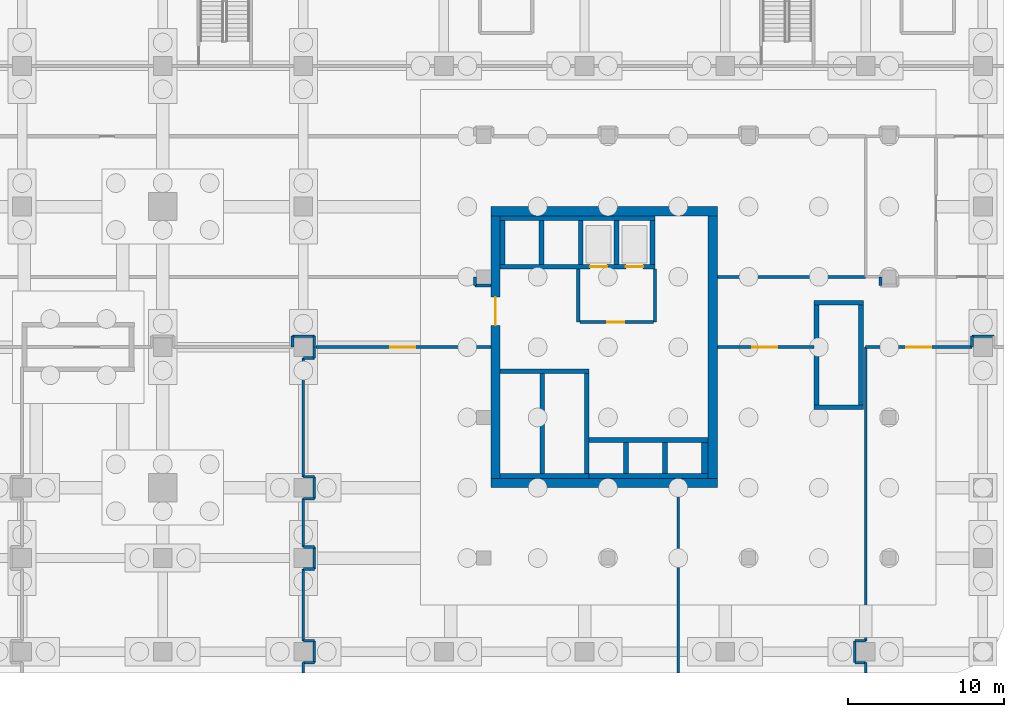
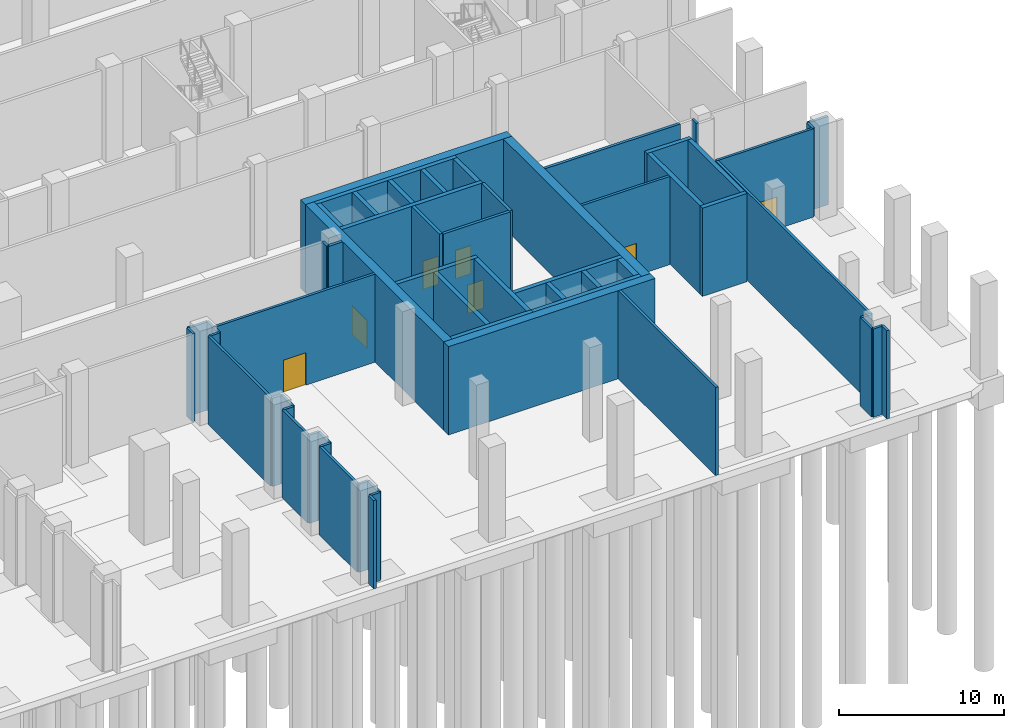
# One storey, part 13 of 23: 60 walls, 7 doors, 7 openings.
"""IFC4 building model written with IfcOpenShell, lengths in metres."""

from ifc_helpers import new_model, si_unit, direction, frame, frame_2d, origin, place, context, subcontext, project, spatial, rectangle, extrude, material, layer, layer_set, type_object, element, fill, save


model = new_model("IFC4")

# Units and contexts
model_context = context("Model", 3, precision=1e-05, world=origin(), true_north=direction((0.0, 1.0)))
body_context = subcontext(model_context, "Body", "Model", "MODEL_VIEW")
ifc_project = project(units=[si_unit("LENGTHUNIT", "METRE"), si_unit("AREAUNIT", "SQUARE_METRE"), si_unit("VOLUMEUNIT", "CUBIC_METRE"), si_unit("PLANEANGLEUNIT", "RADIAN"), si_unit("MASSUNIT", "GRAM", prefix="KILO")], contexts=[model_context])

# Site, building, storey
site_placement = place(None, origin())
site = spatial("IfcSite", under=ifc_project, at=site_placement, CompositionType="ELEMENT")
building_placement = place(site_placement, origin())
building = spatial("IfcBuilding", under=site, at=building_placement, Name="Plateau Cross Towers", CompositionType="ELEMENT")
storey_placement = place(building_placement, frame((0.0, 0.0, -7.0)))
storey = spatial("IfcBuildingStorey", under=building, at=storey_placement, Name="B1", CompositionType="ELEMENT", Elevation=-7.0)

# Wall
ifc_material_1 = material(Name="Concrete block, plastered both sides", Category="concrete")
ifc_layer_1 = layer(ifc_material_1, 0.199951171875)
ifc_layer_set_1 = layer_set([ifc_layer_1], Name="Concrete block, plastered both sides")
wall_type_1 = type_object("IfcWallType", Name="Core partition 200", PredefinedType="PARTITIONING", material=ifc_layer_set_1)
wall_1_placement = place(storey_placement, frame((80.60009765625, 10.60009765625, 0.0), z_axis=(0.0, 0.0, 1.0), x_axis=(0.0, 1.0, 0.0)))
element("IfcWall", 1, at=wall_1_placement, inside=storey, type_object=wall_type_1, Name="Core partition", PredefinedType="PARTITIONING", context=body_context, shape_type="SweptSolid", body=[
    extrude(rectangle(XDim=3.39990234375, YDim=0.199951171875, at=frame_2d((1.699951171875, 0.0))), origin(), (0.0, 0.0, 1.0), 6.550048828125),
])

# Wall, opening, door
wall_2_placement = place(storey_placement, frame((80.699951171875, 10.60009765625, 0.0), z_axis=(0.0, 0.0, 1.0), x_axis=(1.0, 0.0, 0.0)))
wall_2 = element("IfcWall", 2, at=wall_2_placement, inside=storey, type_object=wall_type_1, Name="Core partition", PredefinedType="PARTITIONING", context=body_context, shape_type="SweptSolid", body=[
    extrude(rectangle(XDim=4.699951171875, YDim=0.199951171875, at=frame_2d((2.35009765625, 0.0))), origin(), (0.0, 0.0, 1.0), 6.550048828125),
])
opening_1_placement = place(wall_2_placement, frame((1.75, 0.0, 0.0)))
opening_1 = element("IfcOpeningElement", 3, at=opening_1_placement, cuts=wall_2, Name="Opening FFD", PredefinedType="OPENING", context=body_context, shape_type="SweptSolid", body=[
    extrude(rectangle(XDim=1.10009765625, YDim=2.10009765625, at=frame_2d((0.550048828125, 1.050048828125))), frame((0.0, 0.10986328125, 0.0), z_axis=(0.0, -1.0, 0.0), x_axis=(1.0, 0.0, 0.0)), (0.0, 0.0, 1.0), 0.219970703125),
])
ifc_material_2 = material(Name="Steel, fire-resisting leaf", Category="steel")
door_type_1 = type_object("IfcDoorType", Name="Firefighting lobby door 1100", OperationType="NOTDEFINED", PredefinedType="DOOR", material=ifc_material_2)
door_1_placement = place(opening_1_placement, origin())
door_1 = element("IfcDoor", 4, at=door_1_placement, inside=storey, type_object=door_type_1, Name="Firefighting lobby door FFD", OperationType="SINGLE_SWING_LEFT", OverallHeight=2.10009765625, OverallWidth=1.10009765625, PredefinedType="DOOR", context=body_context, shape_type="SweptSolid", body=[
    extrude(rectangle(XDim=1.10009765625, YDim=2.10009765625, at=frame_2d((0.550048828125, 1.050048828125))), frame((0.0, 0.02490234375, 0.0), z_axis=(0.0, -1.0, 0.0), x_axis=(1.0, 0.0, 0.0)), (0.0, 0.0, 1.0), 0.050048828125),
])
fill(opening_1, door_1)

# Walls
wall_3_placement = place(storey_placement, frame((85.5, 10.60009765625, 0.0), z_axis=(0.0, 0.0, 1.0), x_axis=(0.0, 1.0, 0.0)))
element("IfcWall", 5, at=wall_3_placement, inside=storey, type_object=wall_type_1, Name="Core partition", PredefinedType="PARTITIONING", context=body_context, shape_type="SweptSolid", body=[
    extrude(rectangle(XDim=3.39990234375, YDim=0.199951171875, at=frame_2d((1.699951171875, 0.0))), origin(), (0.0, 0.0, 1.0), 6.550048828125),
])
ifc_material_3 = material(Name="Concrete C60/75", Category="concrete")
ifc_layer_2 = layer(ifc_material_3, 0.300048828125)
ifc_layer_set_2 = layer_set([ifc_layer_2], Name="Concrete C60/75")
wall_type_2 = type_object("IfcWallType", Name="Core shaft wall 300", PredefinedType="SHEAR", material=ifc_layer_set_2)
for number, where, z_axis, x_axis, name in (
    (6, (75.60009765625, 0.75, 0.0), (0.0, 0.0, 1.0), (1.0, 0.0, 0.0), "B-sb-stS@B1"),
    (7, (75.60009765625, 7.449951171875, 0.0), (0.0, 0.0, 1.0), (1.0, 0.0, 0.0), "B-sb-stN@B1"),
):
    element("IfcWall", number, at=place(storey_placement, frame(where, z_axis=z_axis, x_axis=x_axis)), inside=storey, type_object=wall_type_2, Name=name, PredefinedType="SHEAR", context=body_context, shape_type="SweptSolid", body=[
        extrude(rectangle(XDim=5.699951171875, YDim=0.300048828125, at=frame_2d((2.85009765625, 0.0))), origin(), (0.0, 0.0, 1.0), 6.550048828125),
    ])
for number, where, z_axis, x_axis, name in (
    (8, (78.300048828125, 0.89990234375, 0.0), (0.0, 0.0, 1.0), (0.0, 1.0, 0.0), "B-sb-st1@B1"),
    (9, (81.14990234375, 0.89990234375, 0.0), (0.0, 0.0, 1.0), (0.0, 1.0, 0.0), "B-sb-st2@B1"),
):
    element("IfcWall", number, at=place(storey_placement, frame(where, z_axis=z_axis, x_axis=x_axis)), inside=storey, type_object=wall_type_2, Name=name, PredefinedType="SHEAR", context=body_context, shape_type="SweptSolid", body=[
        extrude(rectangle(XDim=6.400146484375, YDim=0.300048828125, at=frame_2d((3.2001953125, 0.0))), origin(), (0.0, 0.0, 1.0), 6.550048828125),
    ])
wall_4_placement = place(storey_placement, frame((81.300048828125, 0.75, 0.0), z_axis=(0.0, 0.0, 1.0), x_axis=(1.0, 0.0, 0.0)))
element("IfcWall", 10, at=wall_4_placement, inside=storey, type_object=wall_type_2, Name="B-sb-back@B1", PredefinedType="SHEAR", context=body_context, shape_type="SweptSolid", body=[
    extrude(rectangle(XDim=7.599853515625, YDim=0.300048828125, at=frame_2d((3.7998046875, 0.0))), origin(), (0.0, 0.0, 1.0), 6.550048828125),
])
for number, where, z_axis, x_axis, name in (
    (11, (83.64990234375, 0.89990234375, 0.0), (0.0, 0.0, 1.0), (0.0, 1.0, 0.0), "B-sb-v1@B1"),
    (12, (86.14990234375, 0.89990234375, 0.0), (0.0, 0.0, 1.0), (0.0, 1.0, 0.0), "B-sb-v2@B1"),
):
    element("IfcWall", number, at=place(storey_placement, frame(where, z_axis=z_axis, x_axis=x_axis)), inside=storey, type_object=wall_type_2, Name=name, PredefinedType="SHEAR", context=body_context, shape_type="SweptSolid", body=[
        extrude(rectangle(XDim=2.0, YDim=0.300048828125, at=frame_2d((1.0, 0.0))), origin(), (0.0, 0.0, 1.0), 6.550048828125),
    ])
wall_5_placement = place(storey_placement, frame((81.300048828125, 3.050048828125, 0.0), z_axis=(0.0, 0.0, 1.0), x_axis=(1.0, 0.0, 0.0)))
element("IfcWall", 13, at=wall_5_placement, inside=storey, type_object=wall_type_2, Name="B-sb-front@B1", PredefinedType="SHEAR", context=body_context, shape_type="SweptSolid", body=[
    extrude(rectangle(XDim=7.599853515625, YDim=0.300048828125, at=frame_2d((3.7998046875, 0.0))), origin(), (0.0, 0.0, 1.0), 6.550048828125),
])
wall_6_placement = place(storey_placement, frame((75.60009765625, 17.25, 0.0), z_axis=(0.0, 0.0, 1.0), x_axis=(1.0, 0.0, 0.0)))
element("IfcWall", 14, at=wall_6_placement, inside=storey, type_object=wall_type_2, Name="B-nb-back@B1", PredefinedType="SHEAR", context=body_context, shape_type="SweptSolid", body=[
    extrude(rectangle(XDim=9.89990234375, YDim=0.300048828125, at=frame_2d((4.949951171875, 0.0))), origin(), (0.0, 0.0, 1.0), 6.550048828125),
])

# Wall, openings, doors
wall_7_placement = place(storey_placement, frame((75.60009765625, 14.14990234375, 0.0), z_axis=(0.0, 0.0, 1.0), x_axis=(1.0, 0.0, 0.0)))
wall_7 = element("IfcWall", 15, at=wall_7_placement, inside=storey, type_object=wall_type_2, Name="B-nb-front@B1", PredefinedType="SHEAR", context=body_context, shape_type="SweptSolid", body=[
    extrude(rectangle(XDim=9.89990234375, YDim=0.300048828125, at=frame_2d((4.949951171875, 0.0))), origin(), (0.0, 0.0, 1.0), 6.550048828125),
])
opening_2_placement = place(wall_7_placement, frame((5.75, 0.0, 0.0)))
opening_2 = element("IfcOpeningElement", 16, at=opening_2_placement, cuts=wall_7, Name="Opening LD", PredefinedType="OPENING", context=body_context, shape_type="SweptSolid", body=[
    extrude(rectangle(XDim=1.10009765625, YDim=2.10009765625, at=frame_2d((0.550048828125, 1.050048828125))), frame((0.0, 0.159912109375, 0.0), z_axis=(0.0, -1.0, 0.0), x_axis=(1.0, 0.0, 0.0)), (0.0, 0.0, 1.0), 0.320068359375),
])
opening_3_placement = place(wall_7_placement, frame((8.050048828125, 0.0, 0.0)))
opening_3 = element("IfcOpeningElement", 17, at=opening_3_placement, cuts=wall_7, Name="Opening LD", PredefinedType="OPENING", context=body_context, shape_type="SweptSolid", body=[
    extrude(rectangle(XDim=1.10009765625, YDim=2.10009765625, at=frame_2d((0.550048828125, 1.050048828125))), frame((0.0, 0.159912109375, 0.0), z_axis=(0.0, -1.0, 0.0), x_axis=(1.0, 0.0, 0.0)), (0.0, 0.0, 1.0), 0.320068359375),
])
ifc_material_4 = material(Name="Stainless steel, fire-resisting sliding leaves", Category="steel")
door_type_2 = type_object("IfcDoorType", Name="Lift landing door 1100", OperationType="NOTDEFINED", PredefinedType="DOOR", material=ifc_material_4)
door_2_placement = place(opening_2_placement, origin())
door_2 = element("IfcDoor", 18, at=door_2_placement, inside=storey, type_object=door_type_2, Name="Lift landing door LD", OperationType="DOUBLE_DOOR_SLIDING", OverallHeight=2.10009765625, OverallWidth=1.10009765625, PredefinedType="DOOR", context=body_context, shape_type="SweptSolid", body=[
    extrude(rectangle(XDim=1.10009765625, YDim=2.10009765625, at=frame_2d((0.550048828125, 1.050048828125))), frame((0.0, 0.02490234375, 0.0), z_axis=(0.0, -1.0, 0.0), x_axis=(1.0, 0.0, 0.0)), (0.0, 0.0, 1.0), 0.050048828125),
])
fill(opening_2, door_2)
door_3_placement = place(opening_3_placement, origin())
door_3 = element("IfcDoor", 19, at=door_3_placement, inside=storey, type_object=door_type_2, Name="Lift landing door LD", OperationType="DOUBLE_DOOR_SLIDING", OverallHeight=2.10009765625, OverallWidth=1.10009765625, PredefinedType="DOOR", context=body_context, shape_type="SweptSolid", body=[
    extrude(rectangle(XDim=1.10009765625, YDim=2.10009765625, at=frame_2d((0.550048828125, 1.050048828125))), frame((0.0, 0.02490234375, 0.0), z_axis=(0.0, -1.0, 0.0), x_axis=(1.0, 0.0, 0.0)), (0.0, 0.0, 1.0), 0.050048828125),
])
fill(opening_3, door_3)

# Walls
for number, where, z_axis, x_axis, name in (
    (20, (75.75, 14.300048828125, 0.0), (0.0, 0.0, 1.0), (0.0, 1.0, 0.0), "B-nb-v0@B1"),
    (21, (78.25, 14.300048828125, 0.0), (0.0, 0.0, 1.0), (0.0, 1.0, 0.0), "B-nb-v1@B1"),
    (22, (80.75, 14.300048828125, 0.0), (0.0, 0.0, 1.0), (0.0, 1.0, 0.0), "B-nb-v2@B1"),
    (23, (83.050048828125, 14.300048828125, 0.0), (0.0, 0.0, 1.0), (0.0, 1.0, 0.0), "B-nb-v3@B1"),
    (24, (85.35009765625, 14.300048828125, 0.0), (0.0, 0.0, 1.0), (0.0, 1.0, 0.0), "B-nb-v4@B1"),
):
    element("IfcWall", number, at=place(storey_placement, frame(where, z_axis=z_axis, x_axis=x_axis)), inside=storey, type_object=wall_type_2, Name=name, PredefinedType="SHEAR", context=body_context, shape_type="SweptSolid", body=[
        extrude(rectangle(XDim=2.800048828125, YDim=0.300048828125, at=frame_2d((1.39990234375, 0.0))), origin(), (0.0, 0.0, 1.0), 6.550048828125),
    ])
for number, where, z_axis, x_axis, name in (
    (25, (95.85009765625, 5.300048828125, 0.0), (0.0, 0.0, 1.0), (0.0, 1.0, 0.0), "B-sb3-W@B1"),
    (26, (98.699951171875, 5.300048828125, 0.0), (0.0, 0.0, 1.0), (0.0, 1.0, 0.0), "B-sb3-E@B1"),
):
    element("IfcWall", number, at=place(storey_placement, frame(where, z_axis=z_axis, x_axis=x_axis)), inside=storey, type_object=wall_type_2, Name=name, PredefinedType="SHEAR", context=body_context, shape_type="SweptSolid", body=[
        extrude(rectangle(XDim=6.39990234375, YDim=0.300048828125, at=frame_2d((3.199951171875, 0.0))), origin(), (0.0, 0.0, 1.0), 6.550048828125),
    ])
for number, where, z_axis, x_axis, name in (
    (27, (95.699951171875, 5.14990234375, 0.0), (0.0, 0.0, 1.0), (1.0, 0.0, 0.0), "B-sb3-S@B1"),
    (28, (95.699951171875, 11.85009765625, 0.0), (0.0, 0.0, 1.0), (1.0, 0.0, 0.0), "B-sb3-N@B1"),
):
    element("IfcWall", number, at=place(storey_placement, frame(where, z_axis=z_axis, x_axis=x_axis)), inside=storey, type_object=wall_type_2, Name=name, PredefinedType="SHEAR", context=body_context, shape_type="SweptSolid", body=[
        extrude(rectangle(XDim=3.150146484375, YDim=0.300048828125, at=frame_2d((1.5751953125, 0.0))), origin(), (0.0, 0.0, 1.0), 6.550048828125),
    ])
ifc_layer_3 = layer(ifc_material_3, 0.39990234375)
ifc_layer_set_3 = layer_set([ifc_layer_3], Name="Concrete C60/75")
wall_type_3 = type_object("IfcWallType", Name="Core shaft wall 400", PredefinedType="SHEAR", material=ifc_layer_set_3)
wall_8_placement = place(storey_placement, frame((88.699951171875, 0.89990234375, 0.0), z_axis=(0.0, 0.0, 1.0), x_axis=(0.0, 1.0, 0.0)))
element("IfcWall", 29, at=wall_8_placement, inside=storey, type_object=wall_type_3, Name="B-sb-v3@B1", PredefinedType="SHEAR", context=body_context, shape_type="SweptSolid", body=[
    extrude(rectangle(XDim=2.0, YDim=0.39990234375, at=frame_2d((1.0, 0.0))), origin(), (0.0, 0.0, 1.0), 6.550048828125),
])
ifc_layer_4 = layer(ifc_material_3, 0.60009765625)
ifc_layer_set_4 = layer_set([ifc_layer_4], Name="Concrete C60/75")
wall_type_4 = type_object("IfcWallType", Name="Core shell wall 600", PredefinedType="SHEAR", material=ifc_layer_set_4)
for number, where, z_axis, x_axis, name in (
    (30, (75.0, 0.300048828125, 0.0), (0.0, 0.0, 1.0), (1.0, 0.0, 0.0), "B-core-S@B1"),
    (31, (75.0, 17.699951171875, 0.0), (0.0, 0.0, 1.0), (1.0, 0.0, 0.0), "B-core-N@B1"),
):
    element("IfcWall", number, at=place(storey_placement, frame(where, z_axis=z_axis, x_axis=x_axis)), inside=storey, type_object=wall_type_4, Name=name, PredefinedType="SHEAR", context=body_context, shape_type="SweptSolid", body=[
        extrude(rectangle(XDim=14.5, YDim=0.60009765625, at=frame_2d((7.25, 0.0))), origin(), (0.0, 0.0, 1.0), 6.550048828125),
    ])

# Wall, opening, door
wall_9_placement = place(storey_placement, frame((75.300048828125, 0.60009765625, 0.0), z_axis=(0.0, 0.0, 1.0), x_axis=(0.0, 1.0, 0.0)))
wall_9 = element("IfcWall", 32, at=wall_9_placement, inside=storey, type_object=wall_type_4, Name="B-core-W@B1", PredefinedType="SHEAR", context=body_context, shape_type="SweptSolid", body=[
    extrude(rectangle(XDim=16.7998046875, YDim=0.60009765625, at=frame_2d((8.39990234375, 0.0))), origin(), (0.0, 0.0, 1.0), 6.550048828125),
])
opening_4_placement = place(wall_9_placement, frame((9.800048828125, 0.0, 0.0)))
opening_4 = element("IfcOpeningElement", 33, at=opening_4_placement, cuts=wall_9, Name="Opening CD", PredefinedType="OPENING", context=body_context, shape_type="SweptSolid", body=[
    extrude(rectangle(XDim=1.800048828125, YDim=2.10009765625, at=frame_2d((0.89990234375, 1.050048828125))), frame((0.0, 0.31005859375, 0.0), z_axis=(0.0, -1.0, 0.0), x_axis=(1.0, 0.0, 0.0)), (0.0, 0.0, 1.0), 0.6201171875),
])
ifc_material_5 = material(Name="Steel, fire-resisting leaves", Category="steel")
door_type_3 = type_object("IfcDoorType", Name="Corridor door pair 1800", OperationType="NOTDEFINED", PredefinedType="DOOR", material=ifc_material_5)
door_4_placement = place(opening_4_placement, origin())
door_4 = element("IfcDoor", 34, at=door_4_placement, inside=storey, type_object=door_type_3, Name="Corridor door pair CD", OperationType="DOUBLE_DOOR_SINGLE_SWING", OverallHeight=2.10009765625, OverallWidth=1.800048828125, PredefinedType="DOOR", context=body_context, shape_type="SweptSolid", body=[
    extrude(rectangle(XDim=1.800048828125, YDim=2.10009765625, at=frame_2d((0.89990234375, 1.050048828125))), frame((0.0, 0.02490234375, 0.0), z_axis=(0.0, -1.0, 0.0), x_axis=(1.0, 0.0, 0.0)), (0.0, 0.0, 1.0), 0.050048828125),
])
fill(opening_4, door_4)

# Walls
wall_10_placement = place(storey_placement, frame((89.199951171875, 0.60009765625, 0.0), z_axis=(0.0, 0.0, 1.0), x_axis=(0.0, 1.0, 0.0)))
element("IfcWall", 35, at=wall_10_placement, inside=storey, type_object=wall_type_4, Name="B-core-E@B1", PredefinedType="SHEAR", context=body_context, shape_type="SweptSolid", body=[
    extrude(rectangle(XDim=16.7998046875, YDim=0.60009765625, at=frame_2d((8.39990234375, 0.0))), origin(), (0.0, 0.0, 1.0), 6.550048828125),
])
ifc_material_6 = material(Name="Dense masonry block, plastered, acoustic lining", Category="masonry")
ifc_layer_5 = layer(ifc_material_6, 0.179931640625)
ifc_layer_set_5 = layer_set([ifc_layer_5], Name="Dense masonry block, plastered, acoustic lining")
wall_type_5 = type_object("IfcWallType", Name="Plant room acoustic wall 180", PredefinedType="PARTITIONING", material=ifc_layer_set_5)
for number, where, z_axis, x_axis, name in (
    (36, (63.699951171875, 9.0, 0.0), (0.0, 0.0, 1.0), (0.0, -1.0, 0.0), "Partition wall"),
    (37, (63.699951171875, 8.300048828125, 0.0), (0.0, 0.0, 1.0), (-1.0, 0.0, 0.0), "Partition wall"),
):
    element("IfcWall", number, at=place(storey_placement, frame(where, z_axis=z_axis, x_axis=x_axis)), inside=storey, type_object=wall_type_5, Name=name, PredefinedType="PARTITIONING", context=body_context, shape_type="SweptSolid", body=[
        extrude(rectangle(XDim=0.699951171875, YDim=0.179931640625, at=frame_2d((0.35009765625, 0.0))), origin(), (0.0, 0.0, 1.0), 6.550048828125),
    ])
wall_11_placement = place(storey_placement, frame((63.0, 8.300048828125, 0.0), z_axis=(0.0, 0.0, 1.0), x_axis=(0.0, -1.0, 0.0)))
element("IfcWall", 38, at=wall_11_placement, inside=storey, type_object=wall_type_5, Name="Partition wall", PredefinedType="PARTITIONING", context=body_context, shape_type="SweptSolid", body=[
    extrude(rectangle(XDim=7.60009765625, YDim=0.179931640625, at=frame_2d((3.800048828125, 0.0))), origin(), (0.0, 0.0, 1.0), 6.550048828125),
])
wall_12_placement = place(storey_placement, frame((63.0, 0.699951171875, 0.0), z_axis=(0.0, 0.0, 1.0), x_axis=(1.0, 0.0, 0.0)))
element("IfcWall", 39, at=wall_12_placement, inside=storey, type_object=wall_type_5, Name="Partition wall", PredefinedType="PARTITIONING", context=body_context, shape_type="SweptSolid", body=[
    extrude(rectangle(XDim=0.699951171875, YDim=0.179931640625, at=frame_2d((0.35009765625, 0.0))), origin(), (0.0, 0.0, 1.0), 6.550048828125),
])
wall_13_placement = place(storey_placement, frame((63.699951171875, 0.699951171875, 0.0), z_axis=(0.0, 0.0, 1.0), x_axis=(0.0, -1.0, 0.0)))
element("IfcWall", 40, at=wall_13_placement, inside=storey, type_object=wall_type_5, Name="Partition wall", PredefinedType="PARTITIONING", context=body_context, shape_type="SweptSolid", body=[
    extrude(rectangle(XDim=1.39990234375, YDim=0.179931640625, at=frame_2d((0.699951171875, 0.0))), origin(), (0.0, 0.0, 1.0), 6.550048828125),
])
wall_14_placement = place(storey_placement, frame((63.699951171875, -0.699951171875, 0.0), z_axis=(0.0, 0.0, 1.0), x_axis=(-1.0, 0.0, 0.0)))
element("IfcWall", 41, at=wall_14_placement, inside=storey, type_object=wall_type_5, Name="Partition wall", PredefinedType="PARTITIONING", context=body_context, shape_type="SweptSolid", body=[
    extrude(rectangle(XDim=0.699951171875, YDim=0.179931640625, at=frame_2d((0.35009765625, 0.0))), origin(), (0.0, 0.0, 1.0), 6.550048828125),
])
wall_15_placement = place(storey_placement, frame((63.0, -0.699951171875, 0.0), z_axis=(0.0, 0.0, 1.0), x_axis=(0.0, -1.0, 0.0)))
element("IfcWall", 42, at=wall_15_placement, inside=storey, type_object=wall_type_5, Name="Partition wall", PredefinedType="PARTITIONING", context=body_context, shape_type="SweptSolid", body=[
    extrude(rectangle(XDim=3.10009765625, YDim=0.179931640625, at=frame_2d((1.550048828125, 0.0))), origin(), (0.0, 0.0, 1.0), 6.550048828125),
])
wall_16_placement = place(storey_placement, frame((63.0, -3.800048828125, 0.0), z_axis=(0.0, 0.0, 1.0), x_axis=(1.0, 0.0, 0.0)))
element("IfcWall", 43, at=wall_16_placement, inside=storey, type_object=wall_type_5, Name="Partition wall", PredefinedType="PARTITIONING", context=body_context, shape_type="SweptSolid", body=[
    extrude(rectangle(XDim=0.699951171875, YDim=0.179931640625, at=frame_2d((0.35009765625, 0.0))), origin(), (0.0, 0.0, 1.0), 6.550048828125),
])
wall_17_placement = place(storey_placement, frame((63.699951171875, -3.800048828125, 0.0), z_axis=(0.0, 0.0, 1.0), x_axis=(0.0, -1.0, 0.0)))
element("IfcWall", 44, at=wall_17_placement, inside=storey, type_object=wall_type_5, Name="Partition wall", PredefinedType="PARTITIONING", context=body_context, shape_type="SweptSolid", body=[
    extrude(rectangle(XDim=1.39990234375, YDim=0.179931640625, at=frame_2d((0.699951171875, 0.0))), origin(), (0.0, 0.0, 1.0), 6.550048828125),
])
wall_18_placement = place(storey_placement, frame((63.699951171875, -5.199951171875, 0.0), z_axis=(0.0, 0.0, 1.0), x_axis=(-1.0, 0.0, 0.0)))
element("IfcWall", 45, at=wall_18_placement, inside=storey, type_object=wall_type_5, Name="Partition wall", PredefinedType="PARTITIONING", context=body_context, shape_type="SweptSolid", body=[
    extrude(rectangle(XDim=0.699951171875, YDim=0.179931640625, at=frame_2d((0.35009765625, 0.0))), origin(), (0.0, 0.0, 1.0), 6.550048828125),
])
wall_19_placement = place(storey_placement, frame((63.0, -5.199951171875, 0.0), z_axis=(0.0, 0.0, 1.0), x_axis=(0.0, -1.0, 0.0)))
element("IfcWall", 46, at=wall_19_placement, inside=storey, type_object=wall_type_5, Name="Partition wall", PredefinedType="PARTITIONING", context=body_context, shape_type="SweptSolid", body=[
    extrude(rectangle(XDim=4.60009765625, YDim=0.179931640625, at=frame_2d((2.300048828125, 0.0))), origin(), (0.0, 0.0, 1.0), 6.550048828125),
])
wall_20_placement = place(storey_placement, frame((63.0, -9.800048828125, 0.0), z_axis=(0.0, 0.0, 1.0), x_axis=(1.0, 0.0, 0.0)))
element("IfcWall", 47, at=wall_20_placement, inside=storey, type_object=wall_type_5, Name="Partition wall", PredefinedType="PARTITIONING", context=body_context, shape_type="SweptSolid", body=[
    extrude(rectangle(XDim=0.699951171875, YDim=0.179931640625, at=frame_2d((0.35009765625, 0.0))), origin(), (0.0, 0.0, 1.0), 6.550048828125),
])
wall_21_placement = place(storey_placement, frame((63.699951171875, -9.800048828125, 0.0), z_axis=(0.0, 0.0, 1.0), x_axis=(0.0, -1.0, 0.0)))
element("IfcWall", 48, at=wall_21_placement, inside=storey, type_object=wall_type_5, Name="Partition wall", PredefinedType="PARTITIONING", context=body_context, shape_type="SweptSolid", body=[
    extrude(rectangle(XDim=1.39990234375, YDim=0.179931640625, at=frame_2d((0.699951171875, 0.0))), origin(), (0.0, 0.0, 1.0), 6.550048828125),
])
wall_22_placement = place(storey_placement, frame((63.699951171875, -11.199951171875, 0.0), z_axis=(0.0, 0.0, 1.0), x_axis=(-1.0, 0.0, 0.0)))
element("IfcWall", 49, at=wall_22_placement, inside=storey, type_object=wall_type_5, Name="Partition wall", PredefinedType="PARTITIONING", context=body_context, shape_type="SweptSolid", body=[
    extrude(rectangle(XDim=0.699951171875, YDim=0.179931640625, at=frame_2d((0.35009765625, 0.0))), origin(), (0.0, 0.0, 1.0), 6.550048828125),
])
wall_23_placement = place(storey_placement, frame((63.0, -11.199951171875, 0.0), z_axis=(0.0, 0.0, 1.0), x_axis=(0.0, -1.0, 0.0)))
element("IfcWall", 50, at=wall_23_placement, inside=storey, type_object=wall_type_5, Name="Partition wall", PredefinedType="PARTITIONING", context=body_context, shape_type="SweptSolid", body=[
    extrude(rectangle(XDim=0.650146484375, YDim=0.179931640625, at=frame_2d((0.3251953125, 0.0))), origin(), (0.0, 0.0, 1.0), 6.550048828125),
])
wall_24_placement = place(storey_placement, frame((99.0, 9.0, 0.0), z_axis=(0.0, 0.0, 1.0), x_axis=(0.0, -1.0, 0.0)))
element("IfcWall", 51, at=wall_24_placement, inside=storey, type_object=wall_type_5, Name="Partition wall", PredefinedType="PARTITIONING", context=body_context, shape_type="SweptSolid", body=[
    extrude(rectangle(XDim=18.800048828125, YDim=0.179931640625, at=frame_2d((9.39990234375, 0.0))), origin(), (0.0, 0.0, 1.0), 6.550048828125),
])
wall_25_placement = place(storey_placement, frame((99.0, -9.800048828125, 0.0), z_axis=(0.0, 0.0, 1.0), x_axis=(-1.0, 0.0, 0.0)))
element("IfcWall", 52, at=wall_25_placement, inside=storey, type_object=wall_type_5, Name="Partition wall", PredefinedType="PARTITIONING", context=body_context, shape_type="SweptSolid", body=[
    extrude(rectangle(XDim=0.699951171875, YDim=0.179931640625, at=frame_2d((0.35009765625, 0.0))), origin(), (0.0, 0.0, 1.0), 6.550048828125),
])
wall_26_placement = place(storey_placement, frame((98.300048828125, -9.800048828125, 0.0), z_axis=(0.0, 0.0, 1.0), x_axis=(0.0, -1.0, 0.0)))
element("IfcWall", 53, at=wall_26_placement, inside=storey, type_object=wall_type_5, Name="Partition wall", PredefinedType="PARTITIONING", context=body_context, shape_type="SweptSolid", body=[
    extrude(rectangle(XDim=1.39990234375, YDim=0.179931640625, at=frame_2d((0.699951171875, 0.0))), origin(), (0.0, 0.0, 1.0), 6.550048828125),
])
wall_27_placement = place(storey_placement, frame((98.300048828125, -11.199951171875, 0.0), z_axis=(0.0, 0.0, 1.0), x_axis=(1.0, 0.0, 0.0)))
element("IfcWall", 54, at=wall_27_placement, inside=storey, type_object=wall_type_5, Name="Partition wall", PredefinedType="PARTITIONING", context=body_context, shape_type="SweptSolid", body=[
    extrude(rectangle(XDim=0.699951171875, YDim=0.179931640625, at=frame_2d((0.35009765625, 0.0))), origin(), (0.0, 0.0, 1.0), 6.550048828125),
])
wall_28_placement = place(storey_placement, frame((99.0, -11.199951171875, 0.0), z_axis=(0.0, 0.0, 1.0), x_axis=(0.0, -1.0, 0.0)))
element("IfcWall", 55, at=wall_28_placement, inside=storey, type_object=wall_type_5, Name="Partition wall", PredefinedType="PARTITIONING", context=body_context, shape_type="SweptSolid", body=[
    extrude(rectangle(XDim=0.650146484375, YDim=0.179931640625, at=frame_2d((0.3251953125, 0.0))), origin(), (0.0, 0.0, 1.0), 6.550048828125),
])
wall_29_placement = place(storey_placement, frame((63.699951171875, 9.0, 0.0), z_axis=(0.0, 0.0, 1.0), x_axis=(0.0, 1.0, 0.0)))
element("IfcWall", 56, at=wall_29_placement, inside=storey, type_object=wall_type_5, Name="Partition wall", PredefinedType="PARTITIONING", context=body_context, shape_type="SweptSolid", body=[
    extrude(rectangle(XDim=0.699951171875, YDim=0.179931640625, at=frame_2d((0.35009765625, 0.0))), origin(), (0.0, 0.0, 1.0), 6.550048828125),
])
wall_30_placement = place(storey_placement, frame((63.699951171875, 9.699951171875, 0.0), z_axis=(0.0, 0.0, 1.0), x_axis=(-1.0, 0.0, 0.0)))
element("IfcWall", 57, at=wall_30_placement, inside=storey, type_object=wall_type_5, Name="Partition wall", PredefinedType="PARTITIONING", context=body_context, shape_type="SweptSolid", body=[
    extrude(rectangle(XDim=1.39990234375, YDim=0.179931640625, at=frame_2d((0.699951171875, 0.0))), origin(), (0.0, 0.0, 1.0), 6.550048828125),
])
wall_31_placement = place(storey_placement, frame((62.300048828125, 9.699951171875, 0.0), z_axis=(0.0, 0.0, 1.0), x_axis=(0.0, -1.0, 0.0)))
element("IfcWall", 58, at=wall_31_placement, inside=storey, type_object=wall_type_5, Name="Partition wall", PredefinedType="PARTITIONING", context=body_context, shape_type="SweptSolid", body=[
    extrude(rectangle(XDim=0.699951171875, YDim=0.179931640625, at=frame_2d((0.35009765625, 0.0))), origin(), (0.0, 0.0, 1.0), 6.550048828125),
])
wall_32_placement = place(storey_placement, frame((87.0, 0.0, 0.0), z_axis=(0.0, 0.0, 1.0), x_axis=(0.0, -1.0, 0.0)))
element("IfcWall", 59, at=wall_32_placement, inside=storey, type_object=wall_type_5, Name="Partition wall", PredefinedType="PARTITIONING", context=body_context, shape_type="SweptSolid", body=[
    extrude(rectangle(XDim=11.85009765625, YDim=0.179931640625, at=frame_2d((5.925048828125, 0.0))), origin(), (0.0, 0.0, 1.0), 6.550048828125),
])

# Wall, opening, door
wall_33_placement = place(storey_placement, frame((75.0, 9.0, 0.0), z_axis=(0.0, 0.0, 1.0), x_axis=(-1.0, 0.0, 0.0)))
wall_33 = element("IfcWall", 60, at=wall_33_placement, inside=storey, type_object=wall_type_5, Name="Partition wall", PredefinedType="PARTITIONING", context=body_context, shape_type="SweptSolid", body=[
    extrude(rectangle(XDim=11.199951171875, YDim=0.179931640625, at=frame_2d((5.60009765625, 0.0))), origin(), (0.0, 0.0, 1.0), 6.550048828125),
])
opening_5_placement = place(wall_33_placement, frame((4.85009765625, 0.0, 0.0)))
opening_5 = element("IfcOpeningElement", 61, at=opening_5_placement, cuts=wall_33, Name="Opening B1-16", PredefinedType="OPENING", context=body_context, shape_type="SweptSolid", body=[
    extrude(rectangle(XDim=1.60009765625, YDim=2.39990234375, at=frame_2d((0.800048828125, 1.199951171875))), frame((0.0, 0.099853515625, 0.0), z_axis=(0.0, -1.0, 0.0), x_axis=(1.0, 0.0, 0.0)), (0.0, 0.0, 1.0), 0.199951171875),
])
ifc_material_7 = material(Name="Steel, fire-resisting double leaf with louvre panel", Category="steel")
door_type_4 = type_object("IfcDoorType", Name="Plant room double door 1600x2400", OperationType="NOTDEFINED", PredefinedType="DOOR", material=ifc_material_7)
door_5_placement = place(opening_5_placement, origin())
door_5 = element("IfcDoor", 62, at=door_5_placement, inside=storey, type_object=door_type_4, Name="Door B1-16", OperationType="SINGLE_SWING_LEFT", OverallHeight=2.39990234375, OverallWidth=1.60009765625, PredefinedType="DOOR", context=body_context, shape_type="SweptSolid", body=[
    extrude(rectangle(XDim=1.60009765625, YDim=2.39990234375, at=frame_2d((0.800048828125, 1.199951171875))), frame((0.0, 0.02490234375, 0.0), z_axis=(0.0, -1.0, 0.0), x_axis=(1.0, 0.0, 0.0)), (0.0, 0.0, 1.0), 0.050048828125),
])
fill(opening_5, door_5)

# Walls
wall_34_placement = place(storey_placement, frame((107.199951171875, 9.699951171875, 0.0), z_axis=(0.0, 0.0, 1.0), x_axis=(-1.0, 0.0, 0.0)))
element("IfcWall", 63, at=wall_34_placement, inside=storey, type_object=wall_type_5, Name="Partition wall", PredefinedType="PARTITIONING", context=body_context, shape_type="SweptSolid", body=[
    extrude(rectangle(XDim=1.39990234375, YDim=0.179931640625, at=frame_2d((0.699951171875, 0.0))), origin(), (0.0, 0.0, 1.0), 6.550048828125),
])
wall_35_placement = place(storey_placement, frame((105.800048828125, 9.699951171875, 0.0), z_axis=(0.0, 0.0, 1.0), x_axis=(0.0, -1.0, 0.0)))
element("IfcWall", 64, at=wall_35_placement, inside=storey, type_object=wall_type_5, Name="Partition wall", PredefinedType="PARTITIONING", context=body_context, shape_type="SweptSolid", body=[
    extrude(rectangle(XDim=0.699951171875, YDim=0.179931640625, at=frame_2d((0.35009765625, 0.0))), origin(), (0.0, 0.0, 1.0), 6.550048828125),
])

# Wall, opening, door
wall_36_placement = place(storey_placement, frame((105.800048828125, 9.0, 0.0), z_axis=(0.0, 0.0, 1.0), x_axis=(-1.0, 0.0, 0.0)))
wall_36 = element("IfcWall", 65, at=wall_36_placement, inside=storey, type_object=wall_type_5, Name="Partition wall", PredefinedType="PARTITIONING", context=body_context, shape_type="SweptSolid", body=[
    extrude(rectangle(XDim=6.800048828125, YDim=0.179931640625, at=frame_2d((3.39990234375, 0.0))), origin(), (0.0, 0.0, 1.0), 6.550048828125),
])
opening_6_placement = place(wall_36_placement, frame((2.60009765625, 0.0, 0.0)))
opening_6 = element("IfcOpeningElement", 66, at=opening_6_placement, cuts=wall_36, Name="Opening B1-18", PredefinedType="OPENING", context=body_context, shape_type="SweptSolid", body=[
    extrude(rectangle(XDim=1.60009765625, YDim=2.39990234375, at=frame_2d((0.800048828125, 1.199951171875))), frame((0.0, 0.099853515625, 0.0), z_axis=(0.0, -1.0, 0.0), x_axis=(1.0, 0.0, 0.0)), (0.0, 0.0, 1.0), 0.199951171875),
])
door_6_placement = place(opening_6_placement, origin())
door_6 = element("IfcDoor", 67, at=door_6_placement, inside=storey, type_object=door_type_4, Name="Door B1-18", OperationType="SINGLE_SWING_LEFT", OverallHeight=2.39990234375, OverallWidth=1.60009765625, PredefinedType="DOOR", context=body_context, shape_type="SweptSolid", body=[
    extrude(rectangle(XDim=1.60009765625, YDim=2.39990234375, at=frame_2d((0.800048828125, 1.199951171875))), frame((0.0, 0.02490234375, 0.0), z_axis=(0.0, -1.0, 0.0), x_axis=(1.0, 0.0, 0.0)), (0.0, 0.0, 1.0), 0.050048828125),
])
fill(opening_6, door_6)

wall_37_placement = place(storey_placement, frame((95.699951171875, 9.0, 0.0), z_axis=(0.0, 0.0, 1.0), x_axis=(-1.0, 0.0, 0.0)))
wall_37 = element("IfcWall", 68, at=wall_37_placement, inside=storey, type_object=wall_type_5, Name="Partition wall", PredefinedType="PARTITIONING", context=body_context, shape_type="SweptSolid", body=[
    extrude(rectangle(XDim=6.199951171875, YDim=0.179931640625, at=frame_2d((3.10009765625, 0.0))), origin(), (0.0, 0.0, 1.0), 6.550048828125),
])
opening_7_placement = place(wall_37_placement, frame((2.35009765625, 0.0, 0.0)))
opening_7 = element("IfcOpeningElement", 69, at=opening_7_placement, cuts=wall_37, Name="Opening B1-17", PredefinedType="OPENING", context=body_context, shape_type="SweptSolid", body=[
    extrude(rectangle(XDim=1.60009765625, YDim=2.39990234375, at=frame_2d((0.800048828125, 1.199951171875))), frame((0.0, 0.099853515625, 0.0), z_axis=(0.0, -1.0, 0.0), x_axis=(1.0, 0.0, 0.0)), (0.0, 0.0, 1.0), 0.199951171875),
])
door_7_placement = place(opening_7_placement, origin())
door_7 = element("IfcDoor", 70, at=door_7_placement, inside=storey, type_object=door_type_4, Name="Door B1-17", OperationType="SINGLE_SWING_LEFT", OverallHeight=2.39990234375, OverallWidth=1.60009765625, PredefinedType="DOOR", context=body_context, shape_type="SweptSolid", body=[
    extrude(rectangle(XDim=1.60009765625, YDim=2.39990234375, at=frame_2d((0.800048828125, 1.199951171875))), frame((0.0, 0.02490234375, 0.0), z_axis=(0.0, -1.0, 0.0), x_axis=(1.0, 0.0, 0.0)), (0.0, 0.0, 1.0), 0.050048828125),
])
fill(opening_7, door_7)

# Walls
wall_38_placement = place(storey_placement, frame((99.949951171875, 13.5, 0.0), z_axis=(0.0, 0.0, 1.0), x_axis=(0.0, -1.0, 0.0)))
element("IfcWall", 71, at=wall_38_placement, inside=storey, type_object=wall_type_5, Name="Partition wall", PredefinedType="PARTITIONING", context=body_context, shape_type="SweptSolid", body=[
    extrude(rectangle(XDim=0.550048828125, YDim=0.179931640625, at=frame_2d((0.27490234375, 0.0))), origin(), (0.0, 0.0, 1.0), 6.550048828125),
])
ifc_material_8 = material(Name="Gypsum board on steel studs", Category="steel")
ifc_layer_6 = layer(ifc_material_8, 0.199951171875)
ifc_layer_set_6 = layer_set([ifc_layer_6], Name="Gypsum board on steel studs")
wall_type_6 = type_object("IfcWallType", Name="Podium partition 200", PredefinedType="PARTITIONING", material=ifc_layer_set_6)
wall_39_placement = place(storey_placement, frame((74.0, 13.5, 0.0), z_axis=(0.0, 0.0, 1.0), x_axis=(0.0, -1.0, 0.0)))
element("IfcWall", 72, at=wall_39_placement, inside=storey, type_object=wall_type_6, Name="Partition wall", PredefinedType="PARTITIONING", context=body_context, shape_type="SweptSolid", body=[
    extrude(rectangle(XDim=0.550048828125, YDim=0.199951171875, at=frame_2d((0.27490234375, 0.0))), origin(), (0.0, 0.0, 1.0), 6.550048828125),
])
wall_40_placement = place(storey_placement, frame((74.0, 12.949951171875, 0.0), z_axis=(0.0, 0.0, 1.0), x_axis=(1.0, 0.0, 0.0)))
element("IfcWall", 73, at=wall_40_placement, inside=storey, type_object=wall_type_6, Name="Partition wall", PredefinedType="PARTITIONING", context=body_context, shape_type="SweptSolid", body=[
    extrude(rectangle(XDim=1.0, YDim=0.199951171875, at=frame_2d((0.5, 0.0))), origin(), (0.0, 0.0, 1.0), 6.550048828125),
])
wall_41_placement = place(storey_placement, frame((89.5, 13.5, 0.0), z_axis=(0.0, 0.0, 1.0), x_axis=(1.0, 0.0, 0.0)))
element("IfcWall", 74, at=wall_41_placement, inside=storey, type_object=wall_type_6, Name="Partition wall", PredefinedType="PARTITIONING", context=body_context, shape_type="SweptSolid", body=[
    extrude(rectangle(XDim=9.5, YDim=0.199951171875, at=frame_2d((4.75, 0.0))), origin(), (0.0, 0.0, 1.0), 6.550048828125),
])

save(model, "model.ifc")
